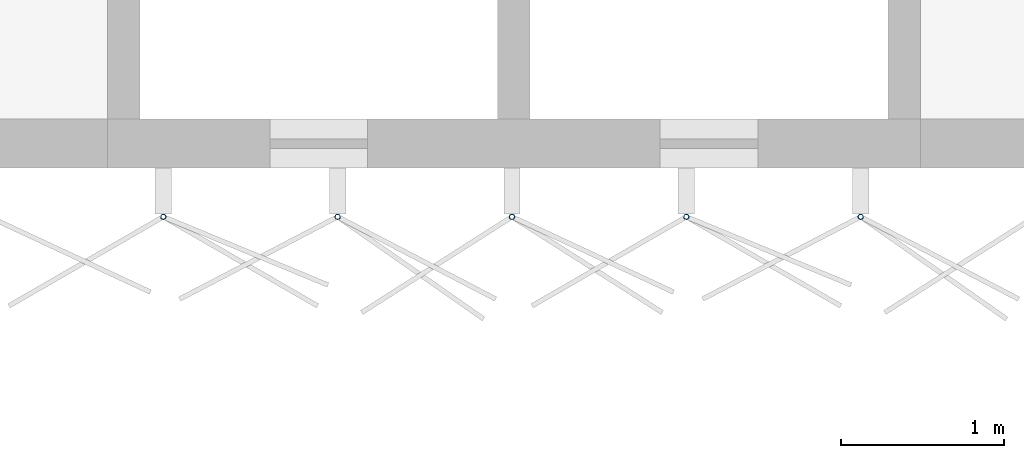
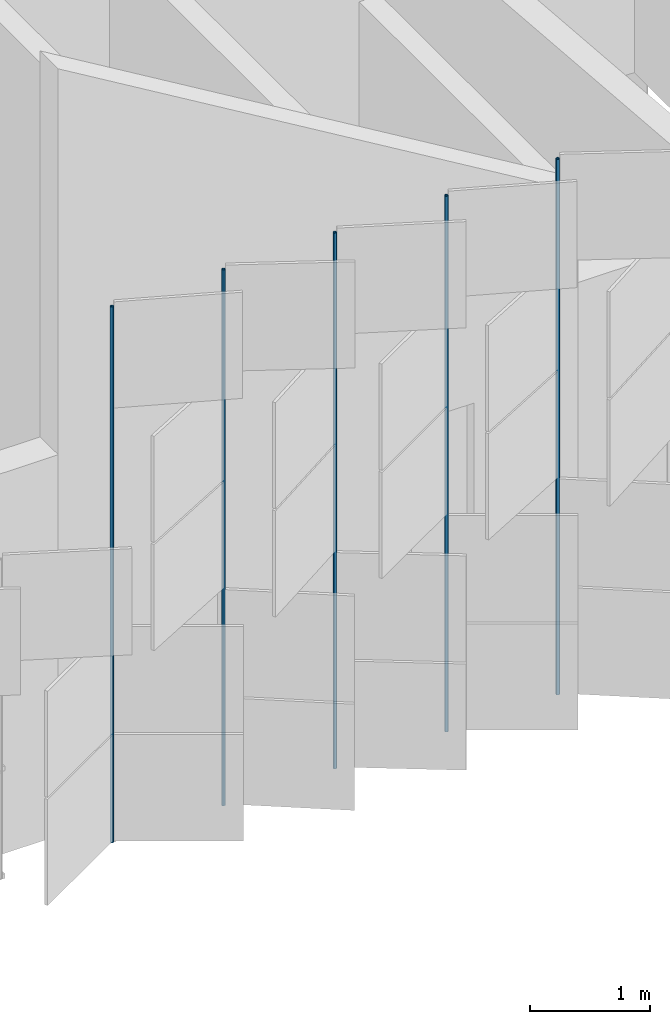
# One storey, part 142 of 483: 5 discrete accessories.
"""IFC4 building model written with IfcOpenShell, lengths in metres."""

from ifc_helpers import new_model, si_unit, direction, frame, origin, origin_2d, place, context, subcontext, project, spatial, hollow_circle, extrude, material, material_profile, profile_set, type_object, element, save


model = new_model("IFC4")

# Units and contexts
model_context = context("Model", 3, precision=1e-05, world=origin(), true_north=direction((0.0, 1.0)))
body_context = subcontext(model_context, "Body", "Model", "MODEL_VIEW")
ifc_project = project(units=[si_unit("LENGTHUNIT", "METRE"), si_unit("AREAUNIT", "SQUARE_METRE"), si_unit("VOLUMEUNIT", "CUBIC_METRE"), si_unit("PLANEANGLEUNIT", "RADIAN"), si_unit("MASSUNIT", "GRAM", prefix="KILO")], contexts=[model_context])

# Site, building, storey
site_placement = place(None, origin())
site = spatial("IfcSite", under=ifc_project, at=site_placement, CompositionType="ELEMENT")
building_placement = place(site_placement, origin())
building = spatial("IfcBuilding", under=site, at=building_placement, Name="Parallax Yard Mobility Hub", CompositionType="ELEMENT")
storey_placement = place(building_placement, frame((0.0, 0.0, 13.199951171875)))
storey = spatial("IfcBuildingStorey", under=building, at=storey_placement, Name="L04", CompositionType="ELEMENT", Elevation=13.199951171875)

# Discrete accessories
ifc_material = material(Name="Steel ASTM A500 Gr C, hot-dip galvanised", Category="steel")
ifc_material_profile = material_profile(ifc_material, hollow_circle(Radius=0.016845703125, WallThickness=0.003173828125, at=origin_2d()), Name="CHS 33.7x3.2")
ifc_profile_set = profile_set([ifc_material_profile], Name="Steel ASTM A500 Gr C, hot-dip galvanised")
discrete_accessory_type = type_object("IfcDiscreteAccessoryType", Name="Hinge post CHS 33.7x3.2", PredefinedType="BRACKET", material=ifc_profile_set)
for number, where, z_axis, x_axis, name in (
    (1, (72.843994140625, 112.199951171875, 0.0), (0.0, 0.0, 1.0), (1.0, 0.0, 0.0), "Hinge post bay 6.6 level L04"),
    (2, (73.916015625, 112.199951171875, 0.0), (0.0, 0.0, 1.0), (1.0, 0.0, 0.0), "Hinge post bay 6.7 level L04"),
    (3, (74.98828125, 112.199951171875, 0.0), (0.0, 0.0, 1.0), (1.0, 0.0, 0.0), "Hinge post bay 6.8 level L04"),
    (4, (76.060546875, 112.199951171875, 0.0), (0.0, 0.0, 1.0), (1.0, 0.0, 0.0), "Hinge post bay 6.9 level L04"),
    (5, (77.1328125, 112.199951171875, 0.0), (0.0, 0.0, 1.0), (1.0, 0.0, 0.0), "Hinge post bay 6.10 level L04"),
):
    element("IfcDiscreteAccessory", number, at=place(storey_placement, frame(where, z_axis=z_axis, x_axis=x_axis)), inside=storey, type_object=discrete_accessory_type, Name=name, PredefinedType="BRACKET", context=body_context, shape_type="SweptSolid", body=[
        extrude(hollow_circle(Radius=0.016845703125, WallThickness=0.003173828125, at=origin_2d()), origin(), (0.0, 0.0, 1.0), 5.449951171875),
    ])

save(model, "model.ifc")
